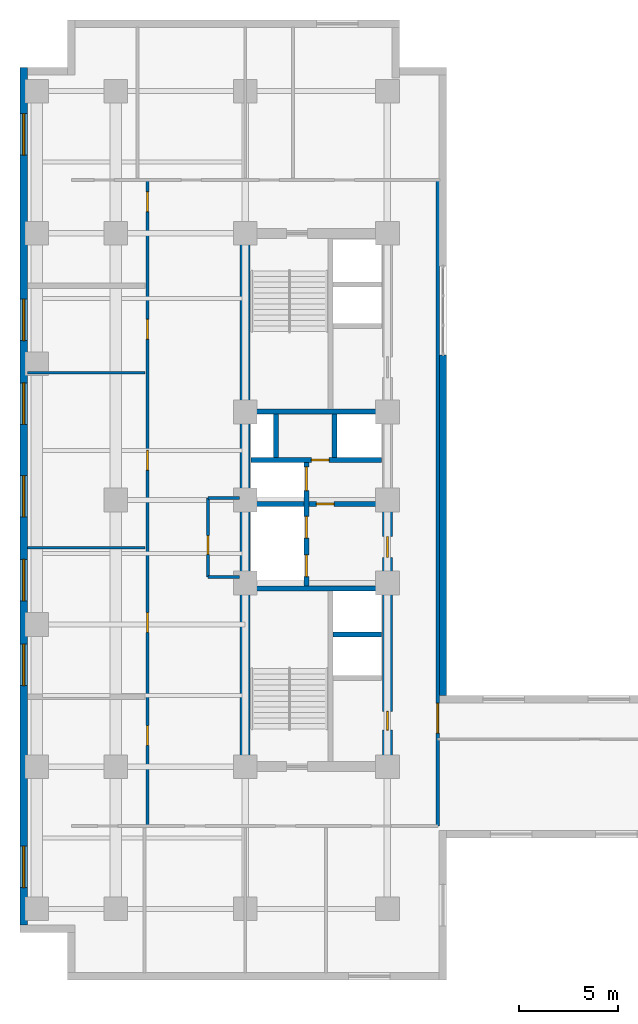
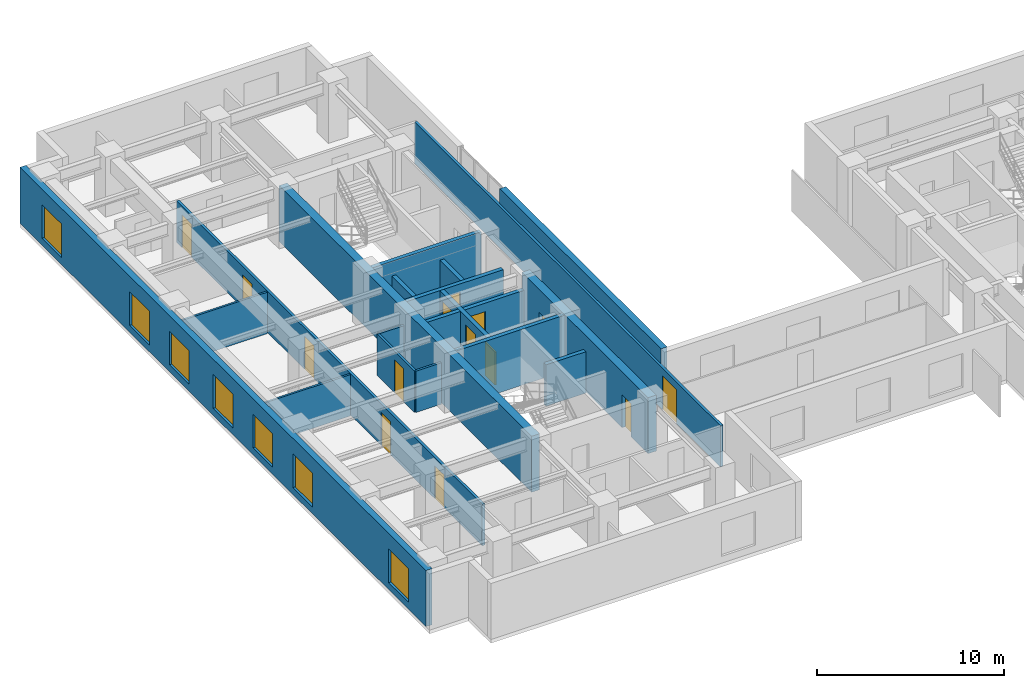
# One storey, part 6 of 11: 19 walls, 14 doors, 7 windows, 21 openings.
"""IFC4 building model written with IfcOpenShell, lengths in metres."""

from ifc_helpers import new_model, entity, si_unit, converted_unit, direction, frame, origin_with_axes, origin_2d_with_axis, place, context, subcontext, project, spatial, polyline, rectangle, outline, extrude, material, layer, layer_set, type_object, element, fill, save


model = new_model("IFC4")

# Units and contexts
model_context = context("Model", 3, precision=1e-05, world=origin_with_axes(), true_north=direction((0.0, 1.0)))
body_context = subcontext(model_context, "Body", "Model", "MODEL_VIEW")
ifc_project = project(units=[si_unit("LENGTHUNIT", "METRE"), si_unit("AREAUNIT", "SQUARE_METRE"), si_unit("VOLUMEUNIT", "CUBIC_METRE"), converted_unit("PLANEANGLEUNIT", "DEGREE", entity("IfcPlaneAngleMeasure", 0.017453292519943295), si_unit("PLANEANGLEUNIT", "RADIAN"), dimensions=[0, 0, 0, 0, 0, 0, 0]), si_unit("MASSUNIT", "GRAM", prefix="KILO"), si_unit("THERMODYNAMICTEMPERATUREUNIT", "KELVIN")], contexts=[model_context])

# Site, building, storey
site_placement = place(None, origin_with_axes())
site = spatial("IfcSite", under=ifc_project, at=site_placement, CompositionType="ELEMENT")
building_placement = place(site_placement, origin_with_axes())
building = spatial("IfcBuilding", under=site, at=building_placement, Name="Varnlund Millrace Tower", CompositionType="ELEMENT")
storey_placement = place(building_placement, frame((0.0, 0.0, 104.7), z_axis=(0.0, 0.0, 1.0), x_axis=(1.0, 0.0, 0.0)))
storey = spatial("IfcBuildingStorey", under=building, at=storey_placement, Name="L25", CompositionType="ELEMENT", Elevation=104.7)

# Wall
ifc_material_1 = material(Name="Concrete C70/85", Category="concrete")
ifc_layer_1 = layer(ifc_material_1, 0.5, Name="Concrete C70/85")
ifc_layer_set_1 = layer_set([ifc_layer_1], Name="Concrete C70/85")
wall_type_1 = type_object("IfcWallType", Name="Type-CoreWall-Shear-500-C70", PredefinedType="SHEAR", material=ifc_layer_set_1)
wall_1_placement = place(storey_placement, frame((11.4, 10.8, 0.0), z_axis=(0.0, 0.0, 1.0), x_axis=(0.0, 1.0, 0.0)))
element("IfcWall", 1, at=wall_1_placement, inside=storey, type_object=wall_type_1, Name="Type-CoreWall-Shear-500-C70", PredefinedType="SHEAR", context=body_context, shape_type="SweptSolid", body=[
    extrude(outline(polyline([(0.0, -0.25), (27.0, -0.25), (27.0, 0.25), (0.0, 0.25), (0.0, -0.25)])), origin_with_axes(), (0.0, 0.0, 1.0), 3.66),
])

# Wall, openings, doors
wall_2_placement = place(storey_placement, frame((18.6, 10.8, 0.0), z_axis=(0.0, 0.0, 1.0), x_axis=(0.0, 1.0, 0.0)))
wall_2 = element("IfcWall", 2, at=wall_2_placement, inside=storey, type_object=wall_type_1, Name="Type-CoreWall-Shear-500-C70", PredefinedType="SHEAR", context=body_context, shape_type="SweptSolid", body=[
    extrude(outline(polyline([(0.0, -0.25), (13.5, -0.25), (13.5, 0.25), (0.0, 0.25), (0.0, -0.25)])), origin_with_axes(), (0.0, 0.0, 1.0), 3.66),
])
opening_1_placement = place(wall_2_placement, frame((11.125, 0.0, 0.0), z_axis=(0.0, 0.0, 1.0), x_axis=(1.0, 0.0, 0.0)))
opening_1 = element("IfcOpeningElement", 3, at=opening_1_placement, cuts=wall_2, Name="Opening L25:DR-FFLOB-A", PredefinedType="OPENING", context=body_context, shape_type="SweptSolid", body=[
    extrude(rectangle(XDim=1.05, YDim=0.52, at=origin_2d_with_axis()), origin_with_axes(), (0.0, 0.0, 1.0), 2.15),
])
opening_2_placement = place(wall_2_placement, frame((2.325, 0.0, 0.0), z_axis=(0.0, 0.0, 1.0), x_axis=(1.0, 0.0, 0.0)))
opening_2 = element("IfcOpeningElement", 4, at=opening_2_placement, cuts=wall_2, Name="Opening L25:DR-RECL-B1", PredefinedType="OPENING", context=body_context, shape_type="SweptSolid", body=[
    extrude(rectangle(XDim=0.95, YDim=0.52, at=origin_2d_with_axis()), origin_with_axes(), (0.0, 0.0, 1.0), 2.15),
])
ifc_material_2 = material(Name="Smoke-barrier hollow steel fire door", Category="steel")
door_type_1 = type_object("IfcDoorType", Name="Type-FireDoor-Lobby-1050X2150", OperationType="NOTDEFINED", PredefinedType="DOOR", material=ifc_material_2)
door_1_placement = place(wall_2_placement, frame((11.125, 0.0, 0.0), z_axis=(0.0, 0.0, 1.0), x_axis=(1.0, 0.0, 0.0)))
door_1 = element("IfcDoor", 5, at=door_1_placement, inside=storey, type_object=door_type_1, Name="Type-FireDoor-Lobby-1050X2150", OperationType="SINGLE_SWING_LEFT", OverallHeight=2.15, OverallWidth=1.05, PredefinedType="DOOR", context=body_context, shape_type="SweptSolid", body=[
    extrude(rectangle(XDim=1.05, YDim=0.09, at=origin_2d_with_axis()), origin_with_axes(), (0.0, 0.0, 1.0), 2.15),
])
fill(opening_1, door_1)
ifc_material_3 = material(Name="Fire-rated hollow steel core service door", Category="steel")
door_type_2 = type_object("IfcDoorType", Name="Type-FireDoor-Service-950X2150", OperationType="NOTDEFINED", PredefinedType="DOOR", material=ifc_material_3)
door_2_placement = place(wall_2_placement, frame((2.325, 0.0, 0.0), z_axis=(0.0, 0.0, 1.0), x_axis=(1.0, 0.0, 0.0)))
door_2 = element("IfcDoor", 6, at=door_2_placement, inside=storey, type_object=door_type_2, Name="Type-FireDoor-Service-950X2150", OperationType="SINGLE_SWING_LEFT", OverallHeight=2.15, OverallWidth=0.95, PredefinedType="DOOR", context=body_context, shape_type="SweptSolid", body=[
    extrude(rectangle(XDim=0.95, YDim=0.09, at=origin_2d_with_axis()), origin_with_axes(), (0.0, 0.0, 1.0), 2.15),
])
fill(opening_2, door_2)

# Wall, openings, windows
ifc_material_4 = material(Name="Precast concrete C50/60", Category="concrete")
ifc_layer_2 = layer(ifc_material_4, 0.38, Name="Precast concrete C50/60")
ifc_layer_set_2 = layer_set([ifc_layer_2], Name="Precast concrete C50/60")
wall_type_2 = type_object("IfcWallType", Name="Type-ExtWall-Precast-Tube-380", PredefinedType="SOLIDWALL", material=ifc_layer_set_2)
wall_3_placement = place(storey_placement, frame((0.19, 2.78, 0.0), z_axis=(0.0, 0.0, 1.0), x_axis=(0.0, 1.0, 0.0)))
wall_3 = element("IfcWall", 7, at=wall_3_placement, inside=storey, type_object=wall_type_2, Name="Type-ExtWall-Precast-Tube-380", PredefinedType="SOLIDWALL", context=body_context, shape_type="SweptSolid", body=[
    extrude(outline(polyline([(0.0, -0.19), (43.42, -0.19), (43.42, 0.19), (0.0, 0.19), (0.0, -0.19)])), origin_with_axes(), (0.0, 0.0, 1.0), 3.66),
])
opening_3_placement = place(wall_3_placement, frame((2.946, 0.0, 0.45), z_axis=(0.0, 0.0, 1.0), x_axis=(1.0, 0.0, 0.0)))
opening_3 = element("IfcOpeningElement", 8, at=opening_3_placement, cuts=wall_3, Name="Opening L25:WN-13", PredefinedType="OPENING", context=body_context, shape_type="SweptSolid", body=[
    extrude(rectangle(XDim=2.1, YDim=0.4, at=origin_2d_with_axis()), origin_with_axes(), (0.0, 0.0, 1.0), 2.2),
])
opening_4_placement = place(wall_3_placement, frame((13.178, 0.0, 0.45), z_axis=(0.0, 0.0, 1.0), x_axis=(1.0, 0.0, 0.0)))
opening_4 = element("IfcOpeningElement", 9, at=opening_4_placement, cuts=wall_3, Name="Opening L25:WN-14", PredefinedType="OPENING", context=body_context, shape_type="SweptSolid", body=[
    extrude(rectangle(XDim=2.1, YDim=0.4, at=origin_2d_with_axis()), origin_with_axes(), (0.0, 0.0, 1.0), 2.2),
])
opening_5_placement = place(wall_3_placement, frame((17.469, 0.0, 0.45), z_axis=(0.0, 0.0, 1.0), x_axis=(1.0, 0.0, 0.0)))
opening_5 = element("IfcOpeningElement", 10, at=opening_5_placement, cuts=wall_3, Name="Opening L25:WN-15", PredefinedType="OPENING", context=body_context, shape_type="SweptSolid", body=[
    extrude(rectangle(XDim=2.1, YDim=0.4, at=origin_2d_with_axis()), origin_with_axes(), (0.0, 0.0, 1.0), 2.2),
])
opening_6_placement = place(wall_3_placement, frame((21.71, 0.0, 0.45), z_axis=(0.0, 0.0, 1.0), x_axis=(1.0, 0.0, 0.0)))
opening_6 = element("IfcOpeningElement", 11, at=opening_6_placement, cuts=wall_3, Name="Opening L25:WN-16", PredefinedType="OPENING", context=body_context, shape_type="SweptSolid", body=[
    extrude(rectangle(XDim=2.1, YDim=0.4, at=origin_2d_with_axis()), origin_with_axes(), (0.0, 0.0, 1.0), 2.2),
])
opening_7_placement = place(wall_3_placement, frame((26.401, 0.0, 0.45), z_axis=(0.0, 0.0, 1.0), x_axis=(1.0, 0.0, 0.0)))
opening_7 = element("IfcOpeningElement", 12, at=opening_7_placement, cuts=wall_3, Name="Opening L25:WN-17", PredefinedType="OPENING", context=body_context, shape_type="SweptSolid", body=[
    extrude(rectangle(XDim=2.1, YDim=0.4, at=origin_2d_with_axis()), origin_with_axes(), (0.0, 0.0, 1.0), 2.2),
])
opening_8_placement = place(wall_3_placement, frame((30.642, 0.0, 0.45), z_axis=(0.0, 0.0, 1.0), x_axis=(1.0, 0.0, 0.0)))
opening_8 = element("IfcOpeningElement", 13, at=opening_8_placement, cuts=wall_3, Name="Opening L25:WN-18", PredefinedType="OPENING", context=body_context, shape_type="SweptSolid", body=[
    extrude(rectangle(XDim=2.1, YDim=0.4, at=origin_2d_with_axis()), origin_with_axes(), (0.0, 0.0, 1.0), 2.2),
])
opening_9_placement = place(wall_3_placement, frame((40.024, 0.0, 0.45), z_axis=(0.0, 0.0, 1.0), x_axis=(1.0, 0.0, 0.0)))
opening_9 = element("IfcOpeningElement", 14, at=opening_9_placement, cuts=wall_3, Name="Opening L25:WN-19", PredefinedType="OPENING", context=body_context, shape_type="SweptSolid", body=[
    extrude(rectangle(XDim=2.1, YDim=0.4, at=origin_2d_with_axis()), origin_with_axes(), (0.0, 0.0, 1.0), 2.2),
])
ifc_material_5 = material(Name="Argon low-e triple glazing in thermally broken bronze frame", Category="glass")
window_type = type_object("IfcWindowType", Name="Type-Window-Punched-2100X2200", PartitioningType="SINGLE_PANEL", PredefinedType="WINDOW", material=ifc_material_5)
window_1_placement = place(wall_3_placement, frame((2.946, 0.0, 0.45), z_axis=(0.0, 0.0, 1.0), x_axis=(1.0, 0.0, 0.0)))
window_1 = element("IfcWindow", 15, at=window_1_placement, inside=storey, type_object=window_type, Name="Type-Window-Punched-2100X2200", OverallHeight=2.2, OverallWidth=2.1, PredefinedType="WINDOW", context=body_context, shape_type="SweptSolid", body=[
    extrude(rectangle(XDim=2.1, YDim=0.09, at=origin_2d_with_axis()), origin_with_axes(), (0.0, 0.0, 1.0), 2.2),
])
fill(opening_3, window_1)
window_2_placement = place(wall_3_placement, frame((13.178, 0.0, 0.45), z_axis=(0.0, 0.0, 1.0), x_axis=(1.0, 0.0, 0.0)))
window_2 = element("IfcWindow", 16, at=window_2_placement, inside=storey, type_object=window_type, Name="Type-Window-Punched-2100X2200", OverallHeight=2.2, OverallWidth=2.1, PredefinedType="WINDOW", context=body_context, shape_type="SweptSolid", body=[
    extrude(rectangle(XDim=2.1, YDim=0.09, at=origin_2d_with_axis()), origin_with_axes(), (0.0, 0.0, 1.0), 2.2),
])
fill(opening_4, window_2)
window_3_placement = place(wall_3_placement, frame((17.469, 0.0, 0.45), z_axis=(0.0, 0.0, 1.0), x_axis=(1.0, 0.0, 0.0)))
window_3 = element("IfcWindow", 17, at=window_3_placement, inside=storey, type_object=window_type, Name="Type-Window-Punched-2100X2200", OverallHeight=2.2, OverallWidth=2.1, PredefinedType="WINDOW", context=body_context, shape_type="SweptSolid", body=[
    extrude(rectangle(XDim=2.1, YDim=0.09, at=origin_2d_with_axis()), origin_with_axes(), (0.0, 0.0, 1.0), 2.2),
])
fill(opening_5, window_3)
window_4_placement = place(wall_3_placement, frame((21.71, 0.0, 0.45), z_axis=(0.0, 0.0, 1.0), x_axis=(1.0, 0.0, 0.0)))
window_4 = element("IfcWindow", 18, at=window_4_placement, inside=storey, type_object=window_type, Name="Type-Window-Punched-2100X2200", OverallHeight=2.2, OverallWidth=2.1, PredefinedType="WINDOW", context=body_context, shape_type="SweptSolid", body=[
    extrude(rectangle(XDim=2.1, YDim=0.09, at=origin_2d_with_axis()), origin_with_axes(), (0.0, 0.0, 1.0), 2.2),
])
fill(opening_6, window_4)
window_5_placement = place(wall_3_placement, frame((26.401, 0.0, 0.45), z_axis=(0.0, 0.0, 1.0), x_axis=(1.0, 0.0, 0.0)))
window_5 = element("IfcWindow", 19, at=window_5_placement, inside=storey, type_object=window_type, Name="Type-Window-Punched-2100X2200", OverallHeight=2.2, OverallWidth=2.1, PredefinedType="WINDOW", context=body_context, shape_type="SweptSolid", body=[
    extrude(rectangle(XDim=2.1, YDim=0.09, at=origin_2d_with_axis()), origin_with_axes(), (0.0, 0.0, 1.0), 2.2),
])
fill(opening_7, window_5)
window_6_placement = place(wall_3_placement, frame((30.642, 0.0, 0.45), z_axis=(0.0, 0.0, 1.0), x_axis=(1.0, 0.0, 0.0)))
window_6 = element("IfcWindow", 20, at=window_6_placement, inside=storey, type_object=window_type, Name="Type-Window-Punched-2100X2200", OverallHeight=2.2, OverallWidth=2.1, PredefinedType="WINDOW", context=body_context, shape_type="SweptSolid", body=[
    extrude(rectangle(XDim=2.1, YDim=0.09, at=origin_2d_with_axis()), origin_with_axes(), (0.0, 0.0, 1.0), 2.2),
])
fill(opening_8, window_6)
window_7_placement = place(wall_3_placement, frame((40.024, 0.0, 0.45), z_axis=(0.0, 0.0, 1.0), x_axis=(1.0, 0.0, 0.0)))
window_7 = element("IfcWindow", 21, at=window_7_placement, inside=storey, type_object=window_type, Name="Type-Window-Punched-2100X2200", OverallHeight=2.2, OverallWidth=2.1, PredefinedType="WINDOW", context=body_context, shape_type="SweptSolid", body=[
    extrude(rectangle(XDim=2.1, YDim=0.09, at=origin_2d_with_axis()), origin_with_axes(), (0.0, 0.0, 1.0), 2.2),
])
fill(opening_9, window_7)

# Wall
wall_4_placement = place(storey_placement, frame((21.41, 31.65, 0.0), z_axis=(0.0, 0.0, 1.0), x_axis=(0.0, -1.0, 0.0)))
element("IfcWall", 22, at=wall_4_placement, inside=storey, type_object=wall_type_2, Name="Type-ExtWall-Precast-Tube-380", PredefinedType="SOLIDWALL", context=body_context, shape_type="SweptSolid", body=[
    extrude(outline(polyline([(0.0, -0.19), (17.25, -0.19), (17.25, 0.19), (0.0, 0.19), (0.0, -0.19)])), origin_with_axes(), (0.0, 0.0, 1.0), 3.66),
])

# Wall, opening, door
ifc_material_6 = material(Name="Fire-rated gypsum board on cold-formed steel framing", Category="steel")
ifc_layer_3 = layer(ifc_material_6, 0.16, Name="Fire-rated gypsum board on cold-formed steel framing")
ifc_layer_set_3 = layer_set([ifc_layer_3], Name="Fire-rated gypsum board on cold-formed steel framing")
wall_type_3 = type_object("IfcWallType", Name="Type-Partition-Corridor-160", PredefinedType="PARTITIONING", material=ifc_layer_set_3)
wall_5_placement = place(storey_placement, frame((21.15, 7.8, 0.0), z_axis=(0.0, 0.0, 1.0), x_axis=(0.0, 1.0, 0.0)))
wall_5 = element("IfcWall", 23, at=wall_5_placement, inside=storey, type_object=wall_type_3, Name="Type-Partition-Corridor-160", PredefinedType="PARTITIONING", context=body_context, shape_type="SweptSolid", body=[
    extrude(outline(polyline([(0.0, -0.08), (32.7, -0.08), (32.7, 0.08), (0.0, 0.08), (0.0, -0.08)])), origin_with_axes(), (0.0, 0.0, 1.0), 2.7),
])
opening_10_placement = place(wall_5_placement, frame((5.45, 0.0, 0.0), z_axis=(0.0, 0.0, 1.0), x_axis=(1.0, 0.0, 0.0)))
opening_10 = element("IfcOpeningElement", 24, at=opening_10_placement, cuts=wall_5, Name="Opening L25:DR-SB-W", PredefinedType="OPENING", context=body_context, shape_type="SweptSolid", body=[
    extrude(rectangle(XDim=1.5, YDim=0.18, at=origin_2d_with_axis()), origin_with_axes(), (0.0, 0.0, 1.0), 2.2),
])
ifc_material_7 = material(Name="Architectural bronze and acoustic glass double door", Category="glass")
door_type_3 = type_object("IfcDoorType", Name="Type-IntDoor-SuitePair-1500X2200", OperationType="NOTDEFINED", PredefinedType="DOOR", material=ifc_material_7)
door_3_placement = place(wall_5_placement, frame((5.45, 0.0, 0.0), z_axis=(0.0, 0.0, 1.0), x_axis=(1.0, 0.0, 0.0)))
door_3 = element("IfcDoor", 25, at=door_3_placement, inside=storey, type_object=door_type_3, Name="Type-IntDoor-SuitePair-1500X2200", OperationType="DOUBLE_DOOR_SINGLE_SWING", OverallHeight=2.2, OverallWidth=1.5, PredefinedType="DOOR", context=body_context, shape_type="SweptSolid", body=[
    extrude(rectangle(XDim=1.5, YDim=0.09, at=origin_2d_with_axis()), origin_with_axes(), (0.0, 0.0, 1.0), 2.2),
])
fill(opening_10, door_3)

# Wall, openings, doors
wall_6_placement = place(storey_placement, frame((6.45, 7.8, 0.0), z_axis=(0.0, 0.0, 1.0), x_axis=(0.0, 1.0, 0.0)))
wall_6 = element("IfcWall", 26, at=wall_6_placement, inside=storey, type_object=wall_type_3, Name="Type-Partition-Corridor-160", PredefinedType="PARTITIONING", context=body_context, shape_type="SweptSolid", body=[
    extrude(outline(polyline([(0.0, -0.08), (32.7, -0.08), (32.7, 0.08), (0.0, 0.08), (0.0, -0.08)])), origin_with_axes(), (0.0, 0.0, 1.0), 2.7),
])
opening_11_placement = place(wall_6_placement, frame((4.582, 0.0, 0.0), z_axis=(0.0, 0.0, 1.0), x_axis=(1.0, 0.0, 0.0)))
opening_11 = element("IfcOpeningElement", 27, at=opening_11_placement, cuts=wall_6, Name="Opening L25:DR-W-01", PredefinedType="OPENING", context=body_context, shape_type="SweptSolid", body=[
    extrude(rectangle(XDim=1.0, YDim=0.18, at=origin_2d_with_axis()), origin_with_axes(), (0.0, 0.0, 1.0), 2.15),
])
opening_12_placement = place(wall_6_placement, frame((10.304, 0.0, 0.0), z_axis=(0.0, 0.0, 1.0), x_axis=(1.0, 0.0, 0.0)))
opening_12 = element("IfcOpeningElement", 28, at=opening_12_placement, cuts=wall_6, Name="Opening L25:DR-W-02", PredefinedType="OPENING", context=body_context, shape_type="SweptSolid", body=[
    extrude(rectangle(XDim=1.0, YDim=0.18, at=origin_2d_with_axis()), origin_with_axes(), (0.0, 0.0, 1.0), 2.15),
])
opening_13_placement = place(wall_6_placement, frame((18.5115, 0.0, 0.0), z_axis=(0.0, 0.0, 1.0), x_axis=(1.0, 0.0, 0.0)))
opening_13 = element("IfcOpeningElement", 29, at=opening_13_placement, cuts=wall_6, Name="Opening L25:DR-W-03", PredefinedType="OPENING", context=body_context, shape_type="SweptSolid", body=[
    extrude(rectangle(XDim=1.0, YDim=0.18, at=origin_2d_with_axis()), origin_with_axes(), (0.0, 0.0, 1.0), 2.15),
])
opening_14_placement = place(wall_6_placement, frame((25.1415, 0.0, 0.0), z_axis=(0.0, 0.0, 1.0), x_axis=(1.0, 0.0, 0.0)))
opening_14 = element("IfcOpeningElement", 30, at=opening_14_placement, cuts=wall_6, Name="Opening L25:DR-W-04", PredefinedType="OPENING", context=body_context, shape_type="SweptSolid", body=[
    extrude(rectangle(XDim=1.0, YDim=0.18, at=origin_2d_with_axis()), origin_with_axes(), (0.0, 0.0, 1.0), 2.15),
])
opening_15_placement = place(wall_6_placement, frame((31.602, 0.0, 0.0), z_axis=(0.0, 0.0, 1.0), x_axis=(1.0, 0.0, 0.0)))
opening_15 = element("IfcOpeningElement", 31, at=opening_15_placement, cuts=wall_6, Name="Opening L25:DR-W-05", PredefinedType="OPENING", context=body_context, shape_type="SweptSolid", body=[
    extrude(rectangle(XDim=1.0, YDim=0.18, at=origin_2d_with_axis()), origin_with_axes(), (0.0, 0.0, 1.0), 2.15),
])
ifc_material_8 = material(Name="Solid-core white oak and bronze frame door")
door_type_4 = type_object("IfcDoorType", Name="Type-IntDoor-Office-1000X2150", OperationType="NOTDEFINED", PredefinedType="DOOR", material=ifc_material_8)
door_4_placement = place(wall_6_placement, frame((4.582, 0.0, 0.0), z_axis=(0.0, 0.0, 1.0), x_axis=(1.0, 0.0, 0.0)))
door_4 = element("IfcDoor", 32, at=door_4_placement, inside=storey, type_object=door_type_4, Name="Type-IntDoor-Office-1000X2150", OperationType="SINGLE_SWING_LEFT", OverallHeight=2.15, OverallWidth=1.0, PredefinedType="DOOR", context=body_context, shape_type="SweptSolid", body=[
    extrude(rectangle(XDim=1.0, YDim=0.09, at=origin_2d_with_axis()), origin_with_axes(), (0.0, 0.0, 1.0), 2.15),
])
fill(opening_11, door_4)
door_5_placement = place(wall_6_placement, frame((10.304, 0.0, 0.0), z_axis=(0.0, 0.0, 1.0), x_axis=(1.0, 0.0, 0.0)))
door_5 = element("IfcDoor", 33, at=door_5_placement, inside=storey, type_object=door_type_4, Name="Type-IntDoor-Office-1000X2150", OperationType="SINGLE_SWING_RIGHT", OverallHeight=2.15, OverallWidth=1.0, PredefinedType="DOOR", context=body_context, shape_type="SweptSolid", body=[
    extrude(rectangle(XDim=1.0, YDim=0.09, at=origin_2d_with_axis()), origin_with_axes(), (0.0, 0.0, 1.0), 2.15),
])
fill(opening_12, door_5)
door_6_placement = place(wall_6_placement, frame((18.5115, 0.0, 0.0), z_axis=(0.0, 0.0, 1.0), x_axis=(1.0, 0.0, 0.0)))
door_6 = element("IfcDoor", 34, at=door_6_placement, inside=storey, type_object=door_type_4, Name="Type-IntDoor-Office-1000X2150", OperationType="SINGLE_SWING_LEFT", OverallHeight=2.15, OverallWidth=1.0, PredefinedType="DOOR", context=body_context, shape_type="SweptSolid", body=[
    extrude(rectangle(XDim=1.0, YDim=0.09, at=origin_2d_with_axis()), origin_with_axes(), (0.0, 0.0, 1.0), 2.15),
])
fill(opening_13, door_6)
door_7_placement = place(wall_6_placement, frame((25.1415, 0.0, 0.0), z_axis=(0.0, 0.0, 1.0), x_axis=(1.0, 0.0, 0.0)))
door_7 = element("IfcDoor", 35, at=door_7_placement, inside=storey, type_object=door_type_4, Name="Type-IntDoor-Office-1000X2150", OperationType="SINGLE_SWING_RIGHT", OverallHeight=2.15, OverallWidth=1.0, PredefinedType="DOOR", context=body_context, shape_type="SweptSolid", body=[
    extrude(rectangle(XDim=1.0, YDim=0.09, at=origin_2d_with_axis()), origin_with_axes(), (0.0, 0.0, 1.0), 2.15),
])
fill(opening_14, door_7)
door_8_placement = place(wall_6_placement, frame((31.602, 0.0, 0.0), z_axis=(0.0, 0.0, 1.0), x_axis=(1.0, 0.0, 0.0)))
door_8 = element("IfcDoor", 36, at=door_8_placement, inside=storey, type_object=door_type_4, Name="Type-IntDoor-Office-1000X2150", OperationType="SINGLE_SWING_LEFT", OverallHeight=2.15, OverallWidth=1.0, PredefinedType="DOOR", context=body_context, shape_type="SweptSolid", body=[
    extrude(rectangle(XDim=1.0, YDim=0.09, at=origin_2d_with_axis()), origin_with_axes(), (0.0, 0.0, 1.0), 2.15),
])
fill(opening_15, door_8)

# Walls
ifc_material_9 = material(Name="Gypsum board tenant partition", Category="gypsum")
ifc_layer_4 = layer(ifc_material_9, 0.125, Name="Gypsum board tenant partition")
ifc_layer_set_4 = layer_set([ifc_layer_4], Name="Gypsum board tenant partition")
wall_type_4 = type_object("IfcWallType", Name="Type-Partition-Tenant-125", PredefinedType="PARTITIONING", material=ifc_layer_set_4)
for number, where, z_axis, x_axis, name in (
    (37, (0.375, 21.875, 0.0), (0.0, 0.0, 1.0), (1.0, 0.0, 0.0), "Type-Partition-Tenant-125"),
    (38, (0.375, 30.748, 0.0), (0.0, 0.0, 1.0), (1.0, 0.0, 0.0), "Type-Partition-Tenant-125"),
):
    element("IfcWall", number, at=place(storey_placement, frame(where, z_axis=z_axis, x_axis=x_axis)), inside=storey, type_object=wall_type_4, Name=name, PredefinedType="PARTITIONING", context=body_context, shape_type="SweptSolid", body=[
        extrude(outline(polyline([(0.0, -0.0625), (5.955, -0.0625), (5.955, 0.0625), (0.0, 0.0625), (0.0, -0.0625)])), origin_with_axes(), (0.0, 0.0, 1.0), 2.7),
    ])

# Wall, opening, door
ifc_material_10 = material(Name="Moisture-resistant gypsum restroom partition", Category="gypsum")
ifc_layer_5 = layer(ifc_material_10, 0.14, Name="Moisture-resistant gypsum restroom partition")
ifc_layer_set_5 = layer_set([ifc_layer_5], Name="Moisture-resistant gypsum restroom partition")
wall_type_5 = type_object("IfcWallType", Name="Type-Partition-Wet-140", PredefinedType="PARTITIONING", material=ifc_layer_set_5)
wall_7_placement = place(storey_placement, frame((9.52, 20.4, 0.0), z_axis=(0.0, 0.0, 1.0), x_axis=(0.0, 1.0, 0.0)))
wall_7 = element("IfcWall", 39, at=wall_7_placement, inside=storey, type_object=wall_type_5, Name="Type-Partition-Wet-140", PredefinedType="PARTITIONING", context=body_context, shape_type="SweptSolid", body=[
    extrude(outline(polyline([(0.0, -0.07), (4.0, -0.07), (4.0, 0.07), (0.0, 0.07), (0.0, -0.07)])), origin_with_axes(), (0.0, 0.0, 1.0), 2.7),
])
opening_16_placement = place(wall_7_placement, frame((1.625, 0.0, 0.0), z_axis=(0.0, 0.0, 1.0), x_axis=(1.0, 0.0, 0.0)))
opening_16 = element("IfcOpeningElement", 40, at=opening_16_placement, cuts=wall_7, Name="Opening L25:DR-CA-WCW", PredefinedType="OPENING", context=body_context, shape_type="SweptSolid", body=[
    extrude(rectangle(XDim=0.95, YDim=0.16, at=origin_2d_with_axis()), origin_with_axes(), (0.0, 0.0, 1.0), 2.15),
])
ifc_material_11 = material(Name="Solid-core acoustic office door")
door_type_5 = type_object("IfcDoorType", Name="Type-IntDoor-Tenant-950X2150", OperationType="NOTDEFINED", PredefinedType="DOOR", material=ifc_material_11)
door_9_placement = place(wall_7_placement, frame((1.625, 0.0, 0.0), z_axis=(0.0, 0.0, 1.0), x_axis=(1.0, 0.0, 0.0)))
door_9 = element("IfcDoor", 41, at=door_9_placement, inside=storey, type_object=door_type_5, Name="Type-IntDoor-Tenant-950X2150", OperationType="SINGLE_SWING_LEFT", OverallHeight=2.15, OverallWidth=0.95, PredefinedType="DOOR", context=body_context, shape_type="SweptSolid", body=[
    extrude(rectangle(XDim=0.95, YDim=0.084, at=origin_2d_with_axis()), origin_with_axes(), (0.0, 0.0, 1.0), 2.15),
])
fill(opening_16, door_9)

# Walls
for number, where, z_axis, x_axis, name in (
    (42, (9.52, 20.4, 0.0), (0.0, 0.0, 1.0), (1.0, 0.0, 0.0), "Type-Partition-Wet-140"),
    (43, (9.52, 24.4, 0.0), (0.0, 0.0, 1.0), (1.0, 0.0, 0.0), "Type-Partition-Wet-140"),
):
    element("IfcWall", number, at=place(storey_placement, frame(where, z_axis=z_axis, x_axis=x_axis)), inside=storey, type_object=wall_type_5, Name=name, PredefinedType="PARTITIONING", context=body_context, shape_type="SweptSolid", body=[
        extrude(outline(polyline([(0.0, -0.07), (1.58, -0.07), (1.58, 0.07), (0.0, 0.07), (0.0, -0.07)])), origin_with_axes(), (0.0, 0.0, 1.0), 2.7),
    ])

# Wall, openings, doors
ifc_material_12 = material(Name="Concrete C60/75", Category="concrete")
ifc_layer_6 = layer(ifc_material_12, 0.25, Name="Concrete C60/75")
ifc_layer_set_6 = layer_set([ifc_layer_6], Name="Concrete C60/75")
wall_type_6 = type_object("IfcWallType", Name="Type-ShaftWall-Fire-250", PredefinedType="SOLIDWALL", material=ifc_layer_set_6)
wall_8_placement = place(storey_placement, frame((14.5, 19.95, 0.0), z_axis=(0.0, 0.0, 1.0), x_axis=(0.0, 1.0, 0.0)))
wall_8 = element("IfcWall", 44, at=wall_8_placement, inside=storey, type_object=wall_type_6, Name="Type-ShaftWall-Fire-250", PredefinedType="SOLIDWALL", context=body_context, shape_type="SweptSolid", body=[
    extrude(outline(polyline([(0.0, -0.125), (6.25, -0.125), (6.25, 0.125), (0.0, 0.125), (0.0, -0.125)])), origin_with_axes(), (0.0, 0.0, 1.0), 2.7),
])
opening_17_placement = place(wall_8_placement, frame((1.025, 0.0, 0.0), z_axis=(0.0, 0.0, 1.0), x_axis=(1.0, 0.0, 0.0)))
opening_17 = element("IfcOpeningElement", 45, at=opening_17_placement, cuts=wall_8, Name="Opening L25:LD-FSAE1", PredefinedType="OPENING", context=body_context, shape_type="SweptSolid", body=[
    extrude(rectangle(XDim=1.1, YDim=0.27, at=origin_2d_with_axis()), origin_with_axes(), (0.0, 0.0, 1.0), 2.15),
])
opening_18_placement = place(wall_8_placement, frame((2.975, 0.0, 0.0), z_axis=(0.0, 0.0, 1.0), x_axis=(1.0, 0.0, 0.0)))
opening_18 = element("IfcOpeningElement", 46, at=opening_18_placement, cuts=wall_8, Name="Opening L25:LD-FSAE2", PredefinedType="OPENING", context=body_context, shape_type="SweptSolid", body=[
    extrude(rectangle(XDim=1.1, YDim=0.27, at=origin_2d_with_axis()), origin_with_axes(), (0.0, 0.0, 1.0), 2.15),
])
opening_19_placement = place(wall_8_placement, frame((5.425, 0.0, 0.0), z_axis=(0.0, 0.0, 1.0), x_axis=(1.0, 0.0, 0.0)))
opening_19 = element("IfcOpeningElement", 47, at=opening_19_placement, cuts=wall_8, Name="Opening L25:LD-SRV1", PredefinedType="OPENING", context=body_context, shape_type="SweptSolid", body=[
    extrude(rectangle(XDim=1.2, YDim=0.27, at=origin_2d_with_axis()), origin_with_axes(), (0.0, 0.0, 1.0), 2.15),
])
ifc_material_13 = material(Name="Stainless and architectural bronze sliding landing door")
door_type_6 = type_object("IfcDoorType", Name="Type-LiftLandingDoor-1100X2150", OperationType="NOTDEFINED", PredefinedType="DOOR", material=ifc_material_13)
door_10_placement = place(wall_8_placement, frame((1.025, 0.0, 0.0), z_axis=(0.0, 0.0, 1.0), x_axis=(1.0, 0.0, 0.0)))
door_10 = element("IfcDoor", 48, at=door_10_placement, inside=storey, type_object=door_type_6, Name="Type-LiftLandingDoor-1100X2150", OperationType="SLIDING_TO_LEFT", OverallHeight=2.15, OverallWidth=1.1, PredefinedType="DOOR", context=body_context, shape_type="SweptSolid", body=[
    extrude(rectangle(XDim=1.1, YDim=0.09, at=origin_2d_with_axis()), origin_with_axes(), (0.0, 0.0, 1.0), 2.15),
])
fill(opening_17, door_10)
door_11_placement = place(wall_8_placement, frame((2.975, 0.0, 0.0), z_axis=(0.0, 0.0, 1.0), x_axis=(1.0, 0.0, 0.0)))
door_11 = element("IfcDoor", 49, at=door_11_placement, inside=storey, type_object=door_type_6, Name="Type-LiftLandingDoor-1100X2150", OperationType="SLIDING_TO_RIGHT", OverallHeight=2.15, OverallWidth=1.1, PredefinedType="DOOR", context=body_context, shape_type="SweptSolid", body=[
    extrude(rectangle(XDim=1.1, YDim=0.09, at=origin_2d_with_axis()), origin_with_axes(), (0.0, 0.0, 1.0), 2.15),
])
fill(opening_18, door_11)
ifc_material_14 = material(Name="Heavy-duty freight sliding landing door")
door_type_7 = type_object("IfcDoorType", Name="Type-LiftLandingDoor-Service-1200X2150", OperationType="NOTDEFINED", PredefinedType="DOOR", material=ifc_material_14)
door_12_placement = place(wall_8_placement, frame((5.425, 0.0, 0.0), z_axis=(0.0, 0.0, 1.0), x_axis=(1.0, 0.0, 0.0)))
door_12 = element("IfcDoor", 50, at=door_12_placement, inside=storey, type_object=door_type_7, Name="Type-LiftLandingDoor-Service-1200X2150", OperationType="DOUBLE_DOOR_SLIDING", OverallHeight=2.15, OverallWidth=1.2, PredefinedType="DOOR", context=body_context, shape_type="SweptSolid", body=[
    extrude(rectangle(XDim=1.2, YDim=0.09, at=origin_2d_with_axis()), origin_with_axes(), (0.0, 0.0, 1.0), 2.15),
])
fill(opening_19, door_12)

# Wall, opening, door
wall_9_placement = place(storey_placement, frame((11.7, 24.1, 0.0), z_axis=(0.0, 0.0, 1.0), x_axis=(1.0, 0.0, 0.0)))
wall_9 = element("IfcWall", 51, at=wall_9_placement, inside=storey, type_object=wall_type_6, Name="Type-ShaftWall-Fire-250", PredefinedType="SOLIDWALL", context=body_context, shape_type="SweptSolid", body=[
    extrude(outline(polyline([(0.0, -0.125), (6.6, -0.125), (6.6, 0.125), (0.0, 0.125), (0.0, -0.125)])), origin_with_axes(), (0.0, 0.0, 1.0), 2.7),
])
opening_20_placement = place(wall_9_placement, frame((3.75, 0.0, 0.0), z_axis=(0.0, 0.0, 1.0), x_axis=(1.0, 0.0, 0.0)))
opening_20 = element("IfcOpeningElement", 52, at=opening_20_placement, cuts=wall_9, Name="Opening L25:DR-CA-SRV1", PredefinedType="OPENING", context=body_context, shape_type="SweptSolid", body=[
    extrude(rectangle(XDim=0.9, YDim=0.27, at=origin_2d_with_axis()), origin_with_axes(), (0.0, 0.0, 1.0), 2.15),
])
ifc_material_15 = material(Name="Fire-rated hollow steel service closet door", Category="steel")
door_type_8 = type_object("IfcDoorType", Name="Type-FireDoor-Closet-900X2150", OperationType="NOTDEFINED", PredefinedType="DOOR", material=ifc_material_15)
door_13_placement = place(wall_9_placement, frame((3.75, 0.0, 0.0), z_axis=(0.0, 0.0, 1.0), x_axis=(1.0, 0.0, 0.0)))
door_13 = element("IfcDoor", 53, at=door_13_placement, inside=storey, type_object=door_type_8, Name="Type-FireDoor-Closet-900X2150", OperationType="SINGLE_SWING_LEFT", OverallHeight=2.15, OverallWidth=0.9, PredefinedType="DOOR", context=body_context, shape_type="SweptSolid", body=[
    extrude(rectangle(XDim=0.9, YDim=0.09, at=origin_2d_with_axis()), origin_with_axes(), (0.0, 0.0, 1.0), 2.15),
])
fill(opening_20, door_13)

wall_10_placement = place(storey_placement, frame((11.7, 26.325, 0.0), z_axis=(0.0, 0.0, 1.0), x_axis=(1.0, 0.0, 0.0)))
wall_10 = element("IfcWall", 54, at=wall_10_placement, inside=storey, type_object=wall_type_6, Name="Type-ShaftWall-Fire-250", PredefinedType="SOLIDWALL", context=body_context, shape_type="SweptSolid", body=[
    extrude(outline(polyline([(0.0, -0.125), (6.6, -0.125), (6.6, 0.125), (0.0, 0.125), (0.0, -0.125)])), origin_with_axes(), (0.0, 0.0, 1.0), 2.7),
])
opening_21_placement = place(wall_10_placement, frame((3.5, 0.0, 0.0), z_axis=(0.0, 0.0, 1.0), x_axis=(1.0, 0.0, 0.0)))
opening_21 = element("IfcOpeningElement", 55, at=opening_21_placement, cuts=wall_10, Name="Opening L25:DR-CA-ELC", PredefinedType="OPENING", context=body_context, shape_type="SweptSolid", body=[
    extrude(rectangle(XDim=0.9, YDim=0.27, at=origin_2d_with_axis()), origin_with_axes(), (0.0, 0.0, 1.0), 2.15),
])
door_14_placement = place(wall_10_placement, frame((3.5, 0.0, 0.0), z_axis=(0.0, 0.0, 1.0), x_axis=(1.0, 0.0, 0.0)))
door_14 = element("IfcDoor", 56, at=door_14_placement, inside=storey, type_object=door_type_8, Name="Type-FireDoor-Closet-900X2150", OperationType="SINGLE_SWING_LEFT", OverallHeight=2.15, OverallWidth=0.9, PredefinedType="DOOR", context=body_context, shape_type="SweptSolid", body=[
    extrude(rectangle(XDim=0.9, YDim=0.09, at=origin_2d_with_axis()), origin_with_axes(), (0.0, 0.0, 1.0), 2.15),
])
fill(opening_21, door_14)

# Walls
for number, where, z_axis, x_axis, name in (
    (57, (12.96, 26.45, 0.0), (0.0, 0.0, 1.0), (0.0, 1.0, 0.0), "Type-ShaftWall-Fire-250"),
    (58, (15.925, 26.45, 0.0), (0.0, 0.0, 1.0), (0.0, 1.0, 0.0), "Type-ShaftWall-Fire-250"),
):
    element("IfcWall", number, at=place(storey_placement, frame(where, z_axis=z_axis, x_axis=x_axis)), inside=storey, type_object=wall_type_6, Name=name, PredefinedType="SOLIDWALL", context=body_context, shape_type="SweptSolid", body=[
        extrude(outline(polyline([(0.0, -0.125), (2.2, -0.125), (2.2, 0.125), (0.0, 0.125), (0.0, -0.125)])), origin_with_axes(), (0.0, 0.0, 1.0), 2.7),
    ])
wall_11_placement = place(storey_placement, frame((15.84, 17.49, 0.0), z_axis=(0.0, 0.0, 1.0), x_axis=(1.0, 0.0, 0.0)))
element("IfcWall", 59, at=wall_11_placement, inside=storey, type_object=wall_type_6, Name="Type-ShaftWall-Fire-250", PredefinedType="SOLIDWALL", context=body_context, shape_type="SweptSolid", body=[
    extrude(outline(polyline([(0.0, -0.125), (2.46, -0.125), (2.46, 0.125), (0.0, 0.125), (0.0, -0.125)])), origin_with_axes(), (0.0, 0.0, 1.0), 2.7),
])
wall_type_7 = type_object("IfcWallType", Name="Type-StairWall-Shear-250", PredefinedType="SHEAR", material=ifc_layer_set_6)
for number, where, z_axis, x_axis, name in (
    (60, (11.65, 19.825, 0.0), (0.0, 0.0, 1.0), (1.0, 0.0, 0.0), "Type-StairWall-Shear-250"),
    (61, (11.65, 28.775, 0.0), (0.0, 0.0, 1.0), (1.0, 0.0, 0.0), "Type-StairWall-Shear-250"),
):
    element("IfcWall", number, at=place(storey_placement, frame(where, z_axis=z_axis, x_axis=x_axis)), inside=storey, type_object=wall_type_7, Name=name, PredefinedType="SHEAR", context=body_context, shape_type="SweptSolid", body=[
        extrude(outline(polyline([(0.0, -0.125), (6.7, -0.125), (6.7, 0.125), (0.0, 0.125), (0.0, -0.125)])), origin_with_axes(), (0.0, 0.0, 1.0), 3.66),
    ])

save(model, "model.ifc")
